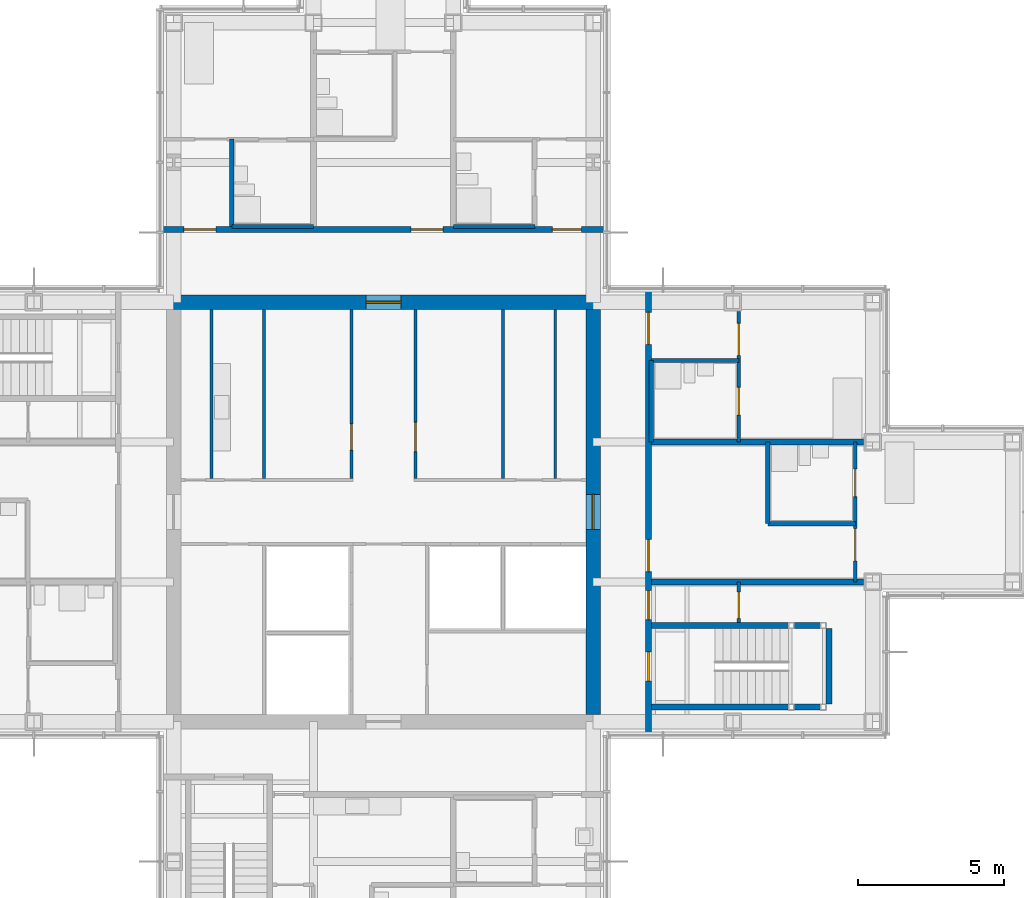
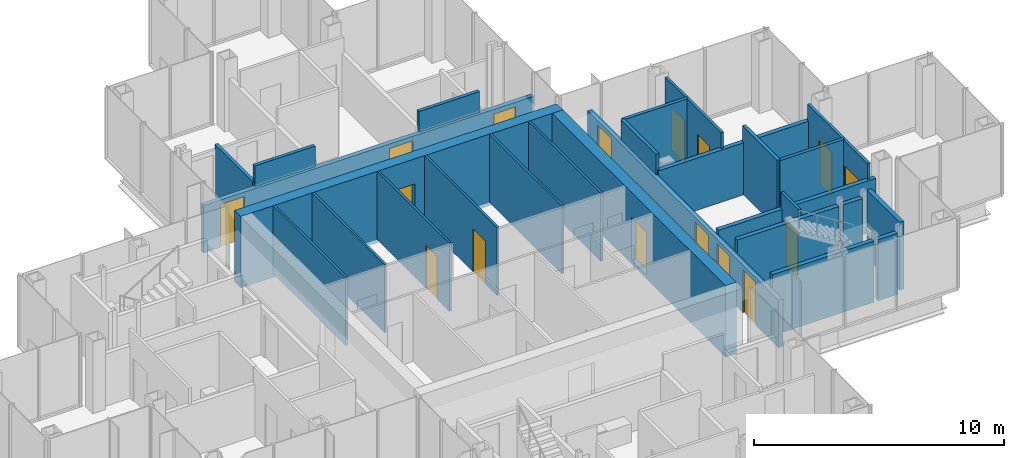
# One storey, part 13 of 17: 27 walls, 16 doors, 16 openings.
"""IFC4 building model written with IfcOpenShell, lengths in metres."""

from ifc_helpers import new_model, si_unit, direction, frame, frame_2d, origin, place, context, subcontext, project, spatial, rectangle, extrude, material, layer, layer_set, type_object, element, fill, save


model = new_model("IFC4")

# Units and contexts
model_context = context("Model", 3, precision=1e-05, world=origin(), true_north=direction((0.0, 1.0)))
body_context = subcontext(model_context, "Body", "Model", "MODEL_VIEW")
ifc_project = project(units=[si_unit("LENGTHUNIT", "METRE"), si_unit("AREAUNIT", "SQUARE_METRE"), si_unit("VOLUMEUNIT", "CUBIC_METRE"), si_unit("PLANEANGLEUNIT", "RADIAN"), si_unit("MASSUNIT", "GRAM", prefix="KILO")], contexts=[model_context])

# Site, building, storey
site_placement = place(None, origin())
site = spatial("IfcSite", under=ifc_project, at=site_placement, CompositionType="ELEMENT")
building_placement = place(site_placement, origin())
building = spatial("IfcBuilding", under=site, at=building_placement, Name="Kvirike Care Tower", CompositionType="ELEMENT")
storey_placement = place(building_placement, frame((0.0, 0.0, 151.5)))
storey = spatial("IfcBuildingStorey", under=building, at=storey_placement, Name="L41", CompositionType="ELEMENT", Elevation=151.5)

# Walls
ifc_material_1 = material(Name="Moisture-resistant board partition", Category="gypsum")
ifc_layer_1 = layer(ifc_material_1, 0.14990234375)
ifc_layer_set_1 = layer_set([ifc_layer_1], Name="BATHROOM WALL 150")
wall_type_1 = type_object("IfcWallType", Name="BATHROOM WALL 150", PredefinedType="PARTITIONING", material=ifc_layer_set_1)
wall_1_placement = place(storey_placement, frame((26.800048828125, 45.800048828125, 0.0), z_axis=(0.0, 0.0, 1.0), x_axis=(-1.0, 0.0, 0.0)))
element("IfcWall", 1, at=wall_1_placement, inside=storey, type_object=wall_type_1, Name="Bathroom Wall 150 L41", PredefinedType="PARTITIONING", context=body_context, shape_type="SweptSolid", body=[
    extrude(rectangle(XDim=2.800048828125, YDim=0.14990234375, at=frame_2d((1.39990234375, 0.0))), origin(), (0.0, 0.0, 1.0), 3.330078125),
])
wall_2_placement = place(storey_placement, frame((16.39990234375, 48.800048828125, 0.0), z_axis=(0.0, 0.0, 1.0), x_axis=(0.0, -1.0, 0.0)))
element("IfcWall", 2, at=wall_2_placement, inside=storey, type_object=wall_type_1, Name="Bathroom Wall 150 L41", PredefinedType="PARTITIONING", context=body_context, shape_type="SweptSolid", body=[
    extrude(rectangle(XDim=3.0, YDim=0.14990234375, at=frame_2d((1.5, 0.0))), origin(), (0.0, 0.0, 1.0), 2.550048828125),
])
wall_3_placement = place(storey_placement, frame((19.199951171875, 45.800048828125, 0.0), z_axis=(0.0, 0.0, 1.0), x_axis=(-1.0, 0.0, 0.0)))
element("IfcWall", 3, at=wall_3_placement, inside=storey, type_object=wall_type_1, Name="Bathroom Wall 150 L41", PredefinedType="PARTITIONING", context=body_context, shape_type="SweptSolid", body=[
    extrude(rectangle(XDim=2.800048828125, YDim=0.14990234375, at=frame_2d((1.39990234375, 0.0))), origin(), (0.0, 0.0, 1.0), 3.330078125),
])
wall_4_placement = place(storey_placement, frame((37.800048828125, 35.60009765625, 0.0), z_axis=(0.0, 0.0, 1.0), x_axis=(-1.0, 0.0, 0.0)))
element("IfcWall", 4, at=wall_4_placement, inside=storey, type_object=wall_type_1, Name="Bathroom Wall 150 L41", PredefinedType="PARTITIONING", context=body_context, shape_type="SweptSolid", body=[
    extrude(rectangle(XDim=3.0, YDim=0.14990234375, at=frame_2d((1.5, 0.0))), origin(), (0.0, 0.0, 1.0), 3.330078125),
])
wall_5_placement = place(storey_placement, frame((34.800048828125, 35.60009765625, 0.0), z_axis=(0.0, 0.0, 1.0), x_axis=(0.0, 1.0, 0.0)))
element("IfcWall", 5, at=wall_5_placement, inside=storey, type_object=wall_type_1, Name="Bathroom Wall 150 L41", PredefinedType="PARTITIONING", context=body_context, shape_type="SweptSolid", body=[
    extrude(rectangle(XDim=2.7998046875, YDim=0.14990234375, at=frame_2d((1.39990234375, 0.0))), origin(), (0.0, 0.0, 1.0), 3.330078125),
])
wall_6_placement = place(storey_placement, frame((33.800048828125, 41.199951171875, 0.0), z_axis=(0.0, 0.0, 1.0), x_axis=(-1.0, 0.0, 0.0)))
element("IfcWall", 6, at=wall_6_placement, inside=storey, type_object=wall_type_1, Name="Bathroom Wall 150 L41", PredefinedType="PARTITIONING", context=body_context, shape_type="SweptSolid", body=[
    extrude(rectangle(XDim=3.0, YDim=0.14990234375, at=frame_2d((1.5, 0.0))), origin(), (0.0, 0.0, 1.0), 3.330078125),
])
wall_7_placement = place(storey_placement, frame((30.800048828125, 38.39990234375, 0.0), z_axis=(0.0, 0.0, 1.0), x_axis=(0.0, 1.0, 0.0)))
element("IfcWall", 7, at=wall_7_placement, inside=storey, type_object=wall_type_1, Name="Bathroom Wall 150 L41", PredefinedType="PARTITIONING", context=body_context, shape_type="SweptSolid", body=[
    extrude(rectangle(XDim=2.800048828125, YDim=0.14990234375, at=frame_2d((1.39990234375, 0.0))), origin(), (0.0, 0.0, 1.0), 3.330078125),
])

# Wall, opening, door
ifc_material_2 = material(Name="Concrete C45/55", Category="concrete")
ifc_layer_2 = layer(ifc_material_2, 0.5)
ifc_layer_set_2 = layer_set([ifc_layer_2], Name="CORE WALL 500 C45-55")
wall_type_2 = type_object("IfcWallType", Name="CORE WALL 500 C45-55", PredefinedType="SHEAR", material=ifc_layer_set_2)
wall_8_placement = place(storey_placement, frame((29.050048828125, 43.199951171875, -0.169921875), z_axis=(0.0, 0.0, 1.0), x_axis=(-1.0, 0.0, 0.0)))
wall_8 = element("IfcWall", 8, at=wall_8_placement, inside=storey, type_object=wall_type_2, Name="Core wall N L41", PredefinedType="SHEAR", context=body_context, shape_type="SweptSolid", body=[
    extrude(rectangle(XDim=14.900146484375, YDim=0.5, at=frame_2d((7.4501953125, 0.0))), origin(), (0.0, 0.0, 1.0), 3.5),
])
opening_1_placement = place(wall_8_placement, frame((6.85009765625, 0.0, 0.169921875)))
opening_1 = element("IfcOpeningElement", 9, at=opening_1_placement, cuts=wall_8, Name="Opening 41-051", PredefinedType="OPENING", context=body_context, shape_type="SweptSolid", body=[
    extrude(rectangle(XDim=1.199951171875, YDim=2.10009765625, at=frame_2d((0.60009765625, 1.050048828125))), frame((0.0, 0.260498046875, 0.0), z_axis=(0.0, -1.0, 0.0), x_axis=(1.0, 0.0, 0.0)), (0.0, 0.0, 1.0), 0.52099609375),
])
ifc_material_3 = material(Name="Timber door set", Category="wood")
door_type_1 = type_object("IfcDoorType", Name="CORE DOOR 1200", OperationType="SINGLE_SWING_LEFT", PredefinedType="DOOR", material=ifc_material_3)
door_1_placement = place(opening_1_placement, origin())
door_1 = element("IfcDoor", 10, at=door_1_placement, inside=storey, type_object=door_type_1, Name="Core door N L41", OperationType="SINGLE_SWING_LEFT", OverallHeight=2.10009765625, OverallWidth=1.199951171875, PredefinedType="DOOR", context=body_context, shape_type="SweptSolid", body=[
    extrude(rectangle(XDim=1.199951171875, YDim=2.10009765625, at=frame_2d((0.60009765625, 1.050048828125))), frame((0.0, 0.02685546875, 0.0), z_axis=(0.0, -1.0, 0.0), x_axis=(1.0, 0.0, 0.0)), (0.0, 0.0, 1.0), 0.053955078125),
])
fill(opening_1, door_1)

wall_9_placement = place(storey_placement, frame((28.800048828125, 29.050048828125, -0.169921875), z_axis=(0.0, 0.0, 1.0), x_axis=(0.0, 1.0, 0.0)))
wall_9 = element("IfcWall", 11, at=wall_9_placement, inside=storey, type_object=wall_type_2, Name="Core wall E L41", PredefinedType="SHEAR", context=body_context, shape_type="SweptSolid", body=[
    extrude(rectangle(XDim=13.89990234375, YDim=0.5, at=frame_2d((6.949951171875, 0.0))), origin(), (0.0, 0.0, 1.0), 3.5),
])
opening_2_placement = place(wall_9_placement, frame((6.35009765625, 0.0, 0.169921875)))
opening_2 = element("IfcOpeningElement", 12, at=opening_2_placement, cuts=wall_9, Name="Opening 41-050", PredefinedType="OPENING", context=body_context, shape_type="SweptSolid", body=[
    extrude(rectangle(XDim=1.199951171875, YDim=2.10009765625, at=frame_2d((0.60009765625, 1.050048828125))), frame((0.0, 0.260498046875, 0.0), z_axis=(0.0, -1.0, 0.0), x_axis=(1.0, 0.0, 0.0)), (0.0, 0.0, 1.0), 0.52099609375),
])
door_2_placement = place(opening_2_placement, origin())
door_2 = element("IfcDoor", 13, at=door_2_placement, inside=storey, type_object=door_type_1, Name="Core door E L41", OperationType="SINGLE_SWING_LEFT", OverallHeight=2.10009765625, OverallWidth=1.199951171875, PredefinedType="DOOR", context=body_context, shape_type="SweptSolid", body=[
    extrude(rectangle(XDim=1.199951171875, YDim=2.10009765625, at=frame_2d((0.60009765625, 1.050048828125))), frame((0.0, 0.02685546875, 0.0), z_axis=(0.0, -1.0, 0.0), x_axis=(1.0, 0.0, 0.0)), (0.0, 0.0, 1.0), 0.053955078125),
])
fill(opening_2, door_2)

# Wall, openings, doors
ifc_material_4 = material(Name="Plasterboard corridor wall", Category="gypsum")
ifc_layer_3 = layer(ifc_material_4, 0.199951171875)
ifc_layer_set_3 = layer_set([ifc_layer_3], Name="CORRIDOR WALL 200")
wall_type_3 = type_object("IfcWallType", Name="CORRIDOR WALL 200", PredefinedType="PARTITIONING", material=ifc_layer_set_3)
wall_10_placement = place(storey_placement, frame((29.25, 45.699951171875, 0.0), z_axis=(0.0, 0.0, 1.0), x_axis=(-1.0, 0.0, 0.0)))
wall_10 = element("IfcWall", 14, at=wall_10_placement, inside=storey, type_object=wall_type_3, Name="Corridor Wall 200 L41", PredefinedType="PARTITIONING", context=body_context, shape_type="SweptSolid", body=[
    extrude(rectangle(XDim=15.300048828125, YDim=0.199951171875, at=frame_2d((7.64990234375, 0.0))), origin(), (0.0, 0.0, 1.0), 2.320068359375),
])
opening_3_placement = place(wall_10_placement, frame((0.85009765625, 0.0, 0.0)))
opening_3 = element("IfcOpeningElement", 15, at=opening_3_placement, cuts=wall_10, Name="Opening 41-023", PredefinedType="OPENING", context=body_context, shape_type="SweptSolid", body=[
    extrude(rectangle(XDim=1.0, YDim=2.10009765625, at=frame_2d((0.5, 1.050048828125))), frame((0.0, 0.110595703125, 0.0), z_axis=(0.0, -1.0, 0.0), x_axis=(1.0, 0.0, 0.0)), (0.0, 0.0, 1.0), 0.220947265625),
])
opening_4_placement = place(wall_10_placement, frame((5.60009765625, 0.0, 0.0)))
opening_4 = element("IfcOpeningElement", 16, at=opening_4_placement, cuts=wall_10, Name="Opening 41-024", PredefinedType="OPENING", context=body_context, shape_type="SweptSolid", body=[
    extrude(rectangle(XDim=1.10009765625, YDim=2.10009765625, at=frame_2d((0.550048828125, 1.050048828125))), frame((0.0, 0.110595703125, 0.0), z_axis=(0.0, -1.0, 0.0), x_axis=(1.0, 0.0, 0.0)), (0.0, 0.0, 1.0), 0.220947265625),
])
opening_5_placement = place(wall_10_placement, frame((13.39990234375, 0.0, 0.0)))
opening_5 = element("IfcOpeningElement", 17, at=opening_5_placement, cuts=wall_10, Name="Opening 41-025", PredefinedType="OPENING", context=body_context, shape_type="SweptSolid", body=[
    extrude(rectangle(XDim=1.10009765625, YDim=2.10009765625, at=frame_2d((0.550048828125, 1.050048828125))), frame((0.0, 0.110595703125, 0.0), z_axis=(0.0, -1.0, 0.0), x_axis=(1.0, 0.0, 0.0)), (0.0, 0.0, 1.0), 0.220947265625),
])
ifc_material_5 = material(Name="Timber door set", Category="wood")
door_type_2 = type_object("IfcDoorType", Name="BEDROOM ENTRANCE DOOR 1100", OperationType="SINGLE_SWING_LEFT", PredefinedType="DOOR", material=ifc_material_5)
door_3_placement = place(opening_4_placement, frame((1.10009765625, 0.0, 0.0), z_axis=(0.0, 0.0, 1.0), x_axis=(-1.0, 0.0, 0.0)))
door_3 = element("IfcDoor", 18, at=door_3_placement, inside=storey, type_object=door_type_2, Name="Memory care bedroom entrance", OperationType="SINGLE_SWING_LEFT", OverallHeight=2.10009765625, OverallWidth=1.10009765625, PredefinedType="DOOR", context=body_context, shape_type="SweptSolid", body=[
    extrude(rectangle(XDim=1.10009765625, YDim=2.10009765625, at=frame_2d((0.550048828125, 1.050048828125))), frame((0.0, 0.02685546875, 0.0), z_axis=(0.0, -1.0, 0.0), x_axis=(1.0, 0.0, 0.0)), (0.0, 0.0, 1.0), 0.053955078125),
])
fill(opening_4, door_3)
door_4_placement = place(opening_5_placement, frame((1.10009765625, 0.0, 0.0), z_axis=(0.0, 0.0, 1.0), x_axis=(-1.0, 0.0, 0.0)))
door_4 = element("IfcDoor", 19, at=door_4_placement, inside=storey, type_object=door_type_2, Name="Memory care bedroom entrance", OperationType="SINGLE_SWING_RIGHT", OverallHeight=2.10009765625, OverallWidth=1.10009765625, PredefinedType="DOOR", context=body_context, shape_type="SweptSolid", body=[
    extrude(rectangle(XDim=1.10009765625, YDim=2.10009765625, at=frame_2d((0.550048828125, 1.050048828125))), frame((0.0, 0.02685546875, 0.0), z_axis=(0.0, -1.0, 0.0), x_axis=(1.0, 0.0, 0.0)), (0.0, 0.0, 1.0), 0.053955078125),
])
fill(opening_5, door_4)
ifc_material_6 = material(Name="Timber door set", Category="wood")
door_type_3 = type_object("IfcDoorType", Name="FLAT ENTRANCE DOOR 1000", OperationType="SINGLE_SWING_LEFT", PredefinedType="DOOR", material=ifc_material_6)
door_5_placement = place(opening_3_placement, frame((1.0, 0.0, 0.0), z_axis=(0.0, 0.0, 1.0), x_axis=(-1.0, 0.0, 0.0)))
door_5 = element("IfcDoor", 20, at=door_5_placement, inside=storey, type_object=door_type_3, Name="Care base entrance", OperationType="SINGLE_SWING_LEFT", OverallHeight=2.10009765625, OverallWidth=1.0, PredefinedType="DOOR", context=body_context, shape_type="SweptSolid", body=[
    extrude(rectangle(XDim=1.0, YDim=2.10009765625, at=frame_2d((0.5, 1.050048828125))), frame((0.0, 0.02685546875, 0.0), z_axis=(0.0, -1.0, 0.0), x_axis=(1.0, 0.0, 0.0)), (0.0, 0.0, 1.0), 0.053955078125),
])
fill(opening_3, door_5)

wall_11_placement = place(storey_placement, frame((30.699951171875, 28.35009765625, 0.0), z_axis=(0.0, 0.0, 1.0), x_axis=(0.0, 1.0, 0.0)))
wall_11 = element("IfcWall", 21, at=wall_11_placement, inside=storey, type_object=wall_type_3, Name="Corridor Wall 200 L41", PredefinedType="PARTITIONING", context=body_context, shape_type="SweptSolid", body=[
    extrude(rectangle(XDim=15.2998046875, YDim=0.199951171875, at=frame_2d((7.64990234375, 0.0))), origin(), (0.0, 0.0, 1.0), 2.320068359375),
])
opening_6_placement = place(wall_11_placement, frame((1.85009765625, 0.0, 0.0)))
opening_6 = element("IfcOpeningElement", 22, at=opening_6_placement, cuts=wall_11, Name="Opening 41-031", PredefinedType="OPENING", context=body_context, shape_type="SweptSolid", body=[
    extrude(rectangle(XDim=1.0, YDim=2.10009765625, at=frame_2d((0.5, 1.050048828125))), frame((0.0, 0.110595703125, 0.0), z_axis=(0.0, -1.0, 0.0), x_axis=(1.0, 0.0, 0.0)), (0.0, 0.0, 1.0), 0.220947265625),
])
opening_7_placement = place(wall_11_placement, frame((3.949951171875, 0.0, 0.0)))
opening_7 = element("IfcOpeningElement", 23, at=opening_7_placement, cuts=wall_11, Name="Opening 41-032", PredefinedType="OPENING", context=body_context, shape_type="SweptSolid", body=[
    extrude(rectangle(XDim=1.0, YDim=2.10009765625, at=frame_2d((0.5, 1.050048828125))), frame((0.0, 0.110595703125, 0.0), z_axis=(0.0, -1.0, 0.0), x_axis=(1.0, 0.0, 0.0)), (0.0, 0.0, 1.0), 0.220947265625),
])
opening_8_placement = place(wall_11_placement, frame((5.60009765625, 0.0, 0.0)))
opening_8 = element("IfcOpeningElement", 24, at=opening_8_placement, cuts=wall_11, Name="Opening 41-033", PredefinedType="OPENING", context=body_context, shape_type="SweptSolid", body=[
    extrude(rectangle(XDim=1.10009765625, YDim=2.10009765625, at=frame_2d((0.550048828125, 1.050048828125))), frame((0.0, 0.110595703125, 0.0), z_axis=(0.0, -1.0, 0.0), x_axis=(1.0, 0.0, 0.0)), (0.0, 0.0, 1.0), 0.220947265625),
])
opening_9_placement = place(wall_11_placement, frame((13.39990234375, 0.0, 0.0)))
opening_9 = element("IfcOpeningElement", 25, at=opening_9_placement, cuts=wall_11, Name="Opening 41-034", PredefinedType="OPENING", context=body_context, shape_type="SweptSolid", body=[
    extrude(rectangle(XDim=1.10009765625, YDim=2.10009765625, at=frame_2d((0.550048828125, 1.050048828125))), frame((0.0, 0.110595703125, 0.0), z_axis=(0.0, -1.0, 0.0), x_axis=(1.0, 0.0, 0.0)), (0.0, 0.0, 1.0), 0.220947265625),
])
door_6_placement = place(opening_8_placement, frame((1.10009765625, 0.0, 0.0), z_axis=(0.0, 0.0, 1.0), x_axis=(-1.0, 0.0, 0.0)))
door_6 = element("IfcDoor", 26, at=door_6_placement, inside=storey, type_object=door_type_2, Name="Memory care bedroom entrance", OperationType="SINGLE_SWING_LEFT", OverallHeight=2.10009765625, OverallWidth=1.10009765625, PredefinedType="DOOR", context=body_context, shape_type="SweptSolid", body=[
    extrude(rectangle(XDim=1.10009765625, YDim=2.10009765625, at=frame_2d((0.550048828125, 1.050048828125))), frame((0.0, 0.02685546875, 0.0), z_axis=(0.0, -1.0, 0.0), x_axis=(1.0, 0.0, 0.0)), (0.0, 0.0, 1.0), 0.053955078125),
])
fill(opening_8, door_6)
door_7_placement = place(opening_9_placement, frame((1.10009765625, 0.0, 0.0), z_axis=(0.0, 0.0, 1.0), x_axis=(-1.0, 0.0, 0.0)))
door_7 = element("IfcDoor", 27, at=door_7_placement, inside=storey, type_object=door_type_2, Name="Memory care bedroom entrance", OperationType="SINGLE_SWING_RIGHT", OverallHeight=2.10009765625, OverallWidth=1.10009765625, PredefinedType="DOOR", context=body_context, shape_type="SweptSolid", body=[
    extrude(rectangle(XDim=1.10009765625, YDim=2.10009765625, at=frame_2d((0.550048828125, 1.050048828125))), frame((0.0, 0.02685546875, 0.0), z_axis=(0.0, -1.0, 0.0), x_axis=(1.0, 0.0, 0.0)), (0.0, 0.0, 1.0), 0.053955078125),
])
fill(opening_9, door_7)
door_8_placement = place(opening_7_placement, frame((1.0, 0.0, 0.0), z_axis=(0.0, 0.0, 1.0), x_axis=(-1.0, 0.0, 0.0)))
door_8 = element("IfcDoor", 28, at=door_8_placement, inside=storey, type_object=door_type_3, Name="Activity room entrance", OperationType="SINGLE_SWING_LEFT", OverallHeight=2.10009765625, OverallWidth=1.0, PredefinedType="DOOR", context=body_context, shape_type="SweptSolid", body=[
    extrude(rectangle(XDim=1.0, YDim=2.10009765625, at=frame_2d((0.5, 1.050048828125))), frame((0.0, 0.02685546875, 0.0), z_axis=(0.0, -1.0, 0.0), x_axis=(1.0, 0.0, 0.0)), (0.0, 0.0, 1.0), 0.053955078125),
])
fill(opening_7, door_8)
ifc_material_7 = material(Name="Timber door set", Category="wood")
door_type_4 = type_object("IfcDoorType", Name="STAIR DOOR 1000", OperationType="SINGLE_SWING_LEFT", PredefinedType="DOOR", material=ifc_material_7)
door_9_placement = place(opening_6_placement, frame((1.0, 0.0, 0.0), z_axis=(0.0, 0.0, 1.0), x_axis=(-1.0, 0.0, 0.0)))
door_9 = element("IfcDoor", 29, at=door_9_placement, inside=storey, type_object=door_type_4, Name="Stair 2 door", OperationType="SINGLE_SWING_RIGHT", OverallHeight=2.10009765625, OverallWidth=1.0, PredefinedType="DOOR", context=body_context, shape_type="SweptSolid", body=[
    extrude(rectangle(XDim=1.0, YDim=2.10009765625, at=frame_2d((0.5, 1.050048828125))), frame((0.0, 0.031982421875, 0.0), z_axis=(0.0, -1.0, 0.0), x_axis=(1.0, 0.0, 0.0)), (0.0, 0.0, 1.0), 0.06396484375),
])
fill(opening_6, door_9)

# Wall, opening, door
ifc_material_8 = material(Name="Plasterboard partition", Category="gypsum")
ifc_layer_4 = layer(ifc_material_8, 0.1201171875)
ifc_layer_set_4 = layer_set([ifc_layer_4], Name="PARTITION 120")
wall_type_4 = type_object("IfcWallType", Name="PARTITION 120", PredefinedType="PARTITIONING", material=ifc_layer_set_4)
wall_12_placement = place(storey_placement, frame((33.800048828125, 32.199951171875, 0.0), z_axis=(0.0, 0.0, 1.0), x_axis=(0.0, 1.0, 0.0)))
wall_12 = element("IfcWall", 30, at=wall_12_placement, inside=storey, type_object=wall_type_4, Name="Partition 120 L41", PredefinedType="PARTITIONING", context=body_context, shape_type="SweptSolid", body=[
    extrude(rectangle(XDim=1.400146484375, YDim=0.1201171875, at=frame_2d((0.7001953125, 0.0))), origin(), (0.0, 0.0, 1.0), 3.330078125),
])
opening_10_placement = place(wall_12_placement, frame((0.14990234375, 0.0, 0.0)))
opening_10 = element("IfcOpeningElement", 31, at=opening_10_placement, cuts=wall_12, Name="Opening 41-026", PredefinedType="OPENING", context=body_context, shape_type="SweptSolid", body=[
    extrude(rectangle(XDim=0.89990234375, YDim=2.10009765625, at=frame_2d((0.449951171875, 1.050048828125))), frame((0.0, 0.070556640625, 0.0), z_axis=(0.0, -1.0, 0.0), x_axis=(1.0, 0.0, 0.0)), (0.0, 0.0, 1.0), 0.14111328125),
])
ifc_material_9 = material(Name="Timber door set", Category="wood")
door_type_5 = type_object("IfcDoorType", Name="INTERNAL DOOR 900", OperationType="SINGLE_SWING_LEFT", PredefinedType="DOOR", material=ifc_material_9)
door_10_placement = place(opening_10_placement, origin())
door_10 = element("IfcDoor", 32, at=door_10_placement, inside=storey, type_object=door_type_5, Name="Activity room door", OperationType="SINGLE_SWING_RIGHT", OverallHeight=2.10009765625, OverallWidth=0.89990234375, PredefinedType="DOOR", context=body_context, shape_type="SweptSolid", body=[
    extrude(rectangle(XDim=0.89990234375, YDim=2.10009765625, at=frame_2d((0.449951171875, 1.050048828125))), frame((0.0, 0.02197265625, 0.0), z_axis=(0.0, -1.0, 0.0), x_axis=(1.0, 0.0, 0.0)), (0.0, 0.0, 1.0), 0.0439453125),
])
fill(opening_10, door_10)

# Wall, openings, doors
wall_13_placement = place(storey_placement, frame((37.800048828125, 33.60009765625, 0.0), z_axis=(0.0, 0.0, 1.0), x_axis=(0.0, 1.0, 0.0)))
wall_13 = element("IfcWall", 33, at=wall_13_placement, inside=storey, type_object=wall_type_4, Name="Partition 120 L41", PredefinedType="PARTITIONING", context=body_context, shape_type="SweptSolid", body=[
    extrude(rectangle(XDim=4.7998046875, YDim=0.1201171875, at=frame_2d((2.39990234375, 0.0))), origin(), (0.0, 0.0, 1.0), 3.330078125),
])
opening_11_placement = place(wall_13_placement, frame((0.72509765625, 0.0, 0.0)))
opening_11 = element("IfcOpeningElement", 34, at=opening_11_placement, cuts=wall_13, Name="Opening 41-027", PredefinedType="OPENING", context=body_context, shape_type="SweptSolid", body=[
    extrude(rectangle(XDim=1.10009765625, YDim=2.10009765625, at=frame_2d((0.550048828125, 1.050048828125))), frame((0.0, 0.070556640625, 0.0), z_axis=(0.0, -1.0, 0.0), x_axis=(1.0, 0.0, 0.0)), (0.0, 0.0, 1.0), 0.14111328125),
])
opening_12_placement = place(wall_13_placement, frame((2.925048828125, 0.0, 0.0)))
opening_12 = element("IfcOpeningElement", 35, at=opening_12_placement, cuts=wall_13, Name="Opening 41-028", PredefinedType="OPENING", context=body_context, shape_type="SweptSolid", body=[
    extrude(rectangle(XDim=0.949951171875, YDim=2.10009765625, at=frame_2d((0.47509765625, 1.050048828125))), frame((0.0, 0.070556640625, 0.0), z_axis=(0.0, -1.0, 0.0), x_axis=(1.0, 0.0, 0.0)), (0.0, 0.0, 1.0), 0.14111328125),
])
ifc_material_10 = material(Name="Timber door set", Category="wood")
door_type_6 = type_object("IfcDoorType", Name="BEDROOM DOOR 1100", OperationType="SINGLE_SWING_LEFT", PredefinedType="DOOR", material=ifc_material_10)
door_11_placement = place(opening_11_placement, origin())
door_11 = element("IfcDoor", 36, at=door_11_placement, inside=storey, type_object=door_type_6, Name="Memory care bedroom door", OperationType="SINGLE_SWING_LEFT", OverallHeight=2.10009765625, OverallWidth=1.10009765625, PredefinedType="DOOR", context=body_context, shape_type="SweptSolid", body=[
    extrude(rectangle(XDim=1.10009765625, YDim=2.10009765625, at=frame_2d((0.550048828125, 1.050048828125))), frame((0.0, 0.02197265625, 0.0), z_axis=(0.0, -1.0, 0.0), x_axis=(1.0, 0.0, 0.0)), (0.0, 0.0, 1.0), 0.0439453125),
])
fill(opening_11, door_11)
ifc_material_11 = material(Name="Timber door set", Category="wood")
door_type_7 = type_object("IfcDoorType", Name="EN-SUITE SLIDING DOOR 950", OperationType="SLIDING_TO_LEFT", PredefinedType="DOOR", material=ifc_material_11)
door_12_placement = place(opening_12_placement, origin())
door_12 = element("IfcDoor", 37, at=door_12_placement, inside=storey, type_object=door_type_7, Name="En-suite door", OperationType="SLIDING_TO_LEFT", OverallHeight=2.10009765625, OverallWidth=0.949951171875, PredefinedType="DOOR", context=body_context, shape_type="SweptSolid", body=[
    extrude(rectangle(XDim=0.949951171875, YDim=2.10009765625, at=frame_2d((0.47509765625, 1.050048828125))), frame((0.0, 0.02197265625, 0.0), z_axis=(0.0, -1.0, 0.0), x_axis=(1.0, 0.0, 0.0)), (0.0, 0.0, 1.0), 0.0439453125),
])
fill(opening_12, door_12)

wall_14_placement = place(storey_placement, frame((33.800048828125, 38.39990234375, 0.0), z_axis=(0.0, 0.0, 1.0), x_axis=(0.0, 1.0, 0.0)))
wall_14 = element("IfcWall", 38, at=wall_14_placement, inside=storey, type_object=wall_type_4, Name="Partition 120 L41", PredefinedType="PARTITIONING", context=body_context, shape_type="SweptSolid", body=[
    extrude(rectangle(XDim=4.47998046875, YDim=0.1201171875, at=frame_2d((2.239990234375, 0.0))), origin(), (0.0, 0.0, 1.0), 3.330078125),
])
opening_13_placement = place(wall_14_placement, frame((2.97509765625, 0.0, 0.0)))
opening_13 = element("IfcOpeningElement", 39, at=opening_13_placement, cuts=wall_14, Name="Opening 41-029", PredefinedType="OPENING", context=body_context, shape_type="SweptSolid", body=[
    extrude(rectangle(XDim=1.10009765625, YDim=2.10009765625, at=frame_2d((0.550048828125, 1.050048828125))), frame((0.0, 0.070556640625, 0.0), z_axis=(0.0, -1.0, 0.0), x_axis=(1.0, 0.0, 0.0)), (0.0, 0.0, 1.0), 0.14111328125),
])
opening_14_placement = place(wall_14_placement, frame((0.925048828125, 0.0, 0.0)))
opening_14 = element("IfcOpeningElement", 40, at=opening_14_placement, cuts=wall_14, Name="Opening 41-030", PredefinedType="OPENING", context=body_context, shape_type="SweptSolid", body=[
    extrude(rectangle(XDim=0.949951171875, YDim=2.10009765625, at=frame_2d((0.47509765625, 1.050048828125))), frame((0.0, 0.070556640625, 0.0), z_axis=(0.0, -1.0, 0.0), x_axis=(1.0, 0.0, 0.0)), (0.0, 0.0, 1.0), 0.14111328125),
])
door_13_placement = place(opening_13_placement, origin())
door_13 = element("IfcDoor", 41, at=door_13_placement, inside=storey, type_object=door_type_6, Name="Memory care bedroom door", OperationType="SINGLE_SWING_RIGHT", OverallHeight=2.10009765625, OverallWidth=1.10009765625, PredefinedType="DOOR", context=body_context, shape_type="SweptSolid", body=[
    extrude(rectangle(XDim=1.10009765625, YDim=2.10009765625, at=frame_2d((0.550048828125, 1.050048828125))), frame((0.0, 0.02197265625, 0.0), z_axis=(0.0, -1.0, 0.0), x_axis=(1.0, 0.0, 0.0)), (0.0, 0.0, 1.0), 0.0439453125),
])
fill(opening_13, door_13)
door_14_placement = place(opening_14_placement, origin())
door_14 = element("IfcDoor", 42, at=door_14_placement, inside=storey, type_object=door_type_7, Name="En-suite door", OperationType="SLIDING_TO_LEFT", OverallHeight=2.10009765625, OverallWidth=0.949951171875, PredefinedType="DOOR", context=body_context, shape_type="SweptSolid", body=[
    extrude(rectangle(XDim=0.949951171875, YDim=2.10009765625, at=frame_2d((0.47509765625, 1.050048828125))), frame((0.0, 0.02197265625, 0.0), z_axis=(0.0, -1.0, 0.0), x_axis=(1.0, 0.0, 0.0)), (0.0, 0.0, 1.0), 0.0439453125),
])
fill(opening_14, door_14)

# Walls
ifc_material_12 = material(Name="Plasterboard party wall", Category="gypsum")
ifc_layer_5 = layer(ifc_material_12, 0.199951171875)
ifc_layer_set_5 = layer_set([ifc_layer_5], Name="PARTY WALL 200")
wall_type_5 = type_object("IfcWallType", Name="PARTY WALL 200", PredefinedType="PARTITIONING", material=ifc_layer_set_5)
for number, where, z_axis, x_axis, name in (
    (43, (38.080078125, 33.60009765625, 0.0), (0.0, 0.0, 1.0), (-1.0, 0.0, 0.0), "Party Wall 200 L41"),
    (44, (38.080078125, 38.39990234375, 0.0), (0.0, 0.0, 1.0), (-1.0, 0.0, 0.0), "Party Wall 200 L41"),
):
    element("IfcWall", number, at=place(storey_placement, frame(where, z_axis=z_axis, x_axis=x_axis)), inside=storey, type_object=wall_type_5, Name=name, PredefinedType="PARTITIONING", context=body_context, shape_type="SweptSolid", body=[
        extrude(rectangle(XDim=7.280029296875, YDim=0.199951171875, at=frame_2d((3.64013671875, 0.0))), origin(), (0.0, 0.0, 1.0), 2.550048828125),
    ])
ifc_material_13 = material(Name="Gypsum shaft wall system", Category="gypsum")
ifc_layer_6 = layer(ifc_material_13, 0.10009765625)
ifc_layer_set_6 = layer_set([ifc_layer_6], Name="SHAFT WALL 100")
wall_type_6 = type_object("IfcWallType", Name="SHAFT WALL 100", PredefinedType="SOLIDWALL", material=ifc_layer_set_6)
for number, where, z_axis, x_axis, name in (
    (45, (15.699951171875, 37.14990234375, 0.0), (0.0, 0.0, 1.0), (0.0, 1.0, 0.0), "Shaft Wall 100 L41"),
    (46, (27.5, 37.14990234375, 0.0), (0.0, 0.0, 1.0), (0.0, 1.0, 0.0), "Shaft Wall 100 L41"),
):
    element("IfcWall", number, at=place(storey_placement, frame(where, z_axis=z_axis, x_axis=x_axis)), inside=storey, type_object=wall_type_6, Name=name, PredefinedType="SOLIDWALL", context=body_context, shape_type="SweptSolid", body=[
        extrude(rectangle(XDim=5.800048828125, YDim=0.10009765625, at=frame_2d((2.89990234375, 0.0))), origin(), (0.0, 0.0, 1.0), 3.330078125),
    ])

# Wall, opening, door
wall_15_placement = place(storey_placement, frame((20.5, 37.14990234375, 0.0), z_axis=(0.0, 0.0, 1.0), x_axis=(0.0, 1.0, 0.0)))
wall_15 = element("IfcWall", 47, at=wall_15_placement, inside=storey, type_object=wall_type_6, Name="Shaft Wall 100 L41", PredefinedType="SOLIDWALL", context=body_context, shape_type="SweptSolid", body=[
    extrude(rectangle(XDim=5.800048828125, YDim=0.10009765625, at=frame_2d((2.89990234375, 0.0))), origin(), (0.0, 0.0, 1.0), 3.330078125),
])
opening_15_placement = place(wall_15_placement, frame((0.97509765625, 0.0, 0.0)))
opening_15 = element("IfcOpeningElement", 48, at=opening_15_placement, cuts=wall_15, Name="Opening 41-037", PredefinedType="OPENING", context=body_context, shape_type="SweptSolid", body=[
    extrude(rectangle(XDim=0.89990234375, YDim=2.10009765625, at=frame_2d((0.449951171875, 1.050048828125))), frame((0.0, 0.060546875, 0.0), z_axis=(0.0, -1.0, 0.0), x_axis=(1.0, 0.0, 0.0)), (0.0, 0.0, 1.0), 0.12109375),
])
ifc_material_14 = material(Name="Timber door set", Category="wood")
door_type_8 = type_object("IfcDoorType", Name="STORE DOOR 900", OperationType="SINGLE_SWING_LEFT", PredefinedType="DOOR", material=ifc_material_14)
door_15_placement = place(opening_15_placement, origin())
door_15 = element("IfcDoor", 49, at=door_15_placement, inside=storey, type_object=door_type_8, Name="Records store door", OperationType="SINGLE_SWING_RIGHT", OverallHeight=2.10009765625, OverallWidth=0.89990234375, PredefinedType="DOOR", context=body_context, shape_type="SweptSolid", body=[
    extrude(rectangle(XDim=0.89990234375, YDim=2.10009765625, at=frame_2d((0.449951171875, 1.050048828125))), frame((0.0, 0.02685546875, 0.0), z_axis=(0.0, -1.0, 0.0), x_axis=(1.0, 0.0, 0.0)), (0.0, 0.0, 1.0), 0.053955078125),
])
fill(opening_15, door_15)

wall_16_placement = place(storey_placement, frame((22.699951171875, 37.14990234375, 0.0), z_axis=(0.0, 0.0, 1.0), x_axis=(0.0, 1.0, 0.0)))
wall_16 = element("IfcWall", 50, at=wall_16_placement, inside=storey, type_object=wall_type_6, Name="Shaft Wall 100 L41", PredefinedType="SOLIDWALL", context=body_context, shape_type="SweptSolid", body=[
    extrude(rectangle(XDim=5.800048828125, YDim=0.10009765625, at=frame_2d((2.89990234375, 0.0))), origin(), (0.0, 0.0, 1.0), 3.330078125),
])
opening_16_placement = place(wall_16_placement, frame((0.925048828125, 0.0, 0.0)))
opening_16 = element("IfcOpeningElement", 51, at=opening_16_placement, cuts=wall_16, Name="Opening 41-038", PredefinedType="OPENING", context=body_context, shape_type="SweptSolid", body=[
    extrude(rectangle(XDim=1.0, YDim=2.10009765625, at=frame_2d((0.5, 1.050048828125))), frame((0.0, 0.060546875, 0.0), z_axis=(0.0, -1.0, 0.0), x_axis=(1.0, 0.0, 0.0)), (0.0, 0.0, 1.0), 0.12109375),
])
ifc_material_15 = material(Name="Timber door set", Category="wood")
door_type_9 = type_object("IfcDoorType", Name="WC DOOR 1000", OperationType="SINGLE_SWING_LEFT", PredefinedType="DOOR", material=ifc_material_15)
door_16_placement = place(opening_16_placement, frame((1.0, 0.0, 0.0), z_axis=(0.0, 0.0, 1.0), x_axis=(-1.0, 0.0, 0.0)))
door_16 = element("IfcDoor", 52, at=door_16_placement, inside=storey, type_object=door_type_9, Name="Staff WC door", OperationType="SINGLE_SWING_LEFT", OverallHeight=2.10009765625, OverallWidth=1.0, PredefinedType="DOOR", context=body_context, shape_type="SweptSolid", body=[
    extrude(rectangle(XDim=1.0, YDim=2.10009765625, at=frame_2d((0.5, 1.050048828125))), frame((0.0, 0.02685546875, 0.0), z_axis=(0.0, -1.0, 0.0), x_axis=(1.0, 0.0, 0.0)), (0.0, 0.0, 1.0), 0.053955078125),
])
fill(opening_16, door_16)

# Walls
for number, where, z_axis, x_axis, name in (
    (53, (17.5, 37.14990234375, 0.0), (0.0, 0.0, 1.0), (0.0, 1.0, 0.0), "Shaft Wall 100 L41"),
    (54, (25.699951171875, 37.14990234375, 0.0), (0.0, 0.0, 1.0), (0.0, 1.0, 0.0), "Shaft Wall 100 L41"),
):
    element("IfcWall", number, at=place(storey_placement, frame(where, z_axis=z_axis, x_axis=x_axis)), inside=storey, type_object=wall_type_6, Name=name, PredefinedType="SOLIDWALL", context=body_context, shape_type="SweptSolid", body=[
        extrude(rectangle(XDim=5.800048828125, YDim=0.10009765625, at=frame_2d((2.89990234375, 0.0))), origin(), (0.0, 0.0, 1.0), 3.330078125),
    ])
ifc_material_16 = material(Name="Concrete C40/50", Category="concrete")
ifc_layer_7 = layer(ifc_material_16, 0.199951171875)
ifc_layer_set_7 = layer_set([ifc_layer_7], Name="STAIR WALL 200")
wall_type_7 = type_object("IfcWallType", Name="STAIR WALL 200", PredefinedType="SOLIDWALL", material=ifc_layer_set_7)
wall_17_placement = place(storey_placement, frame((36.60009765625, 29.300048828125, 0.0), z_axis=(0.0, 0.0, 1.0), x_axis=(-1.0, 0.0, 0.0)))
element("IfcWall", 55, at=wall_17_placement, inside=storey, type_object=wall_type_7, Name="Stair Wall 200 L41", PredefinedType="SOLIDWALL", context=body_context, shape_type="SweptSolid", body=[
    extrude(rectangle(XDim=0.900146484375, YDim=0.199951171875, at=frame_2d((0.4501953125, 0.0))), origin(), (0.0, 0.0, 1.0), 2.989990234375),
])
wall_18_placement = place(storey_placement, frame((35.5, 29.300048828125, 0.0), z_axis=(0.0, 0.0, 1.0), x_axis=(-1.0, 0.0, 0.0)))
element("IfcWall", 56, at=wall_18_placement, inside=storey, type_object=wall_type_7, Name="Stair Wall 200 L41", PredefinedType="SOLIDWALL", context=body_context, shape_type="SweptSolid", body=[
    extrude(rectangle(XDim=4.699951171875, YDim=0.199951171875, at=frame_2d((2.35009765625, 0.0))), origin(), (0.0, 0.0, 1.0), 2.989990234375),
])
wall_19_placement = place(storey_placement, frame((36.60009765625, 32.10009765625, 0.0), z_axis=(0.0, 0.0, 1.0), x_axis=(-1.0, 0.0, 0.0)))
element("IfcWall", 57, at=wall_19_placement, inside=storey, type_object=wall_type_7, Name="Stair Wall 200 L41", PredefinedType="SOLIDWALL", context=body_context, shape_type="SweptSolid", body=[
    extrude(rectangle(XDim=0.900146484375, YDim=0.199951171875, at=frame_2d((0.4501953125, 0.0))), origin(), (0.0, 0.0, 1.0), 2.989990234375),
])
wall_20_placement = place(storey_placement, frame((35.5, 32.10009765625, 0.0), z_axis=(0.0, 0.0, 1.0), x_axis=(-1.0, 0.0, 0.0)))
element("IfcWall", 58, at=wall_20_placement, inside=storey, type_object=wall_type_7, Name="Stair Wall 200 L41", PredefinedType="SOLIDWALL", context=body_context, shape_type="SweptSolid", body=[
    extrude(rectangle(XDim=4.699951171875, YDim=0.199951171875, at=frame_2d((2.35009765625, 0.0))), origin(), (0.0, 0.0, 1.0), 2.989990234375),
])
wall_21_placement = place(storey_placement, frame((36.89990234375, 29.39990234375, 0.0), z_axis=(0.0, 0.0, 1.0), x_axis=(0.0, 1.0, 0.0)))
element("IfcWall", 59, at=wall_21_placement, inside=storey, type_object=wall_type_7, Name="Stair Wall 200 L41", PredefinedType="SOLIDWALL", context=body_context, shape_type="SweptSolid", body=[
    extrude(rectangle(XDim=2.60009765625, YDim=0.199951171875, at=frame_2d((1.300048828125, 0.0))), origin(), (0.0, 0.0, 1.0), 3.330078125),
])

save(model, "model.ifc")
